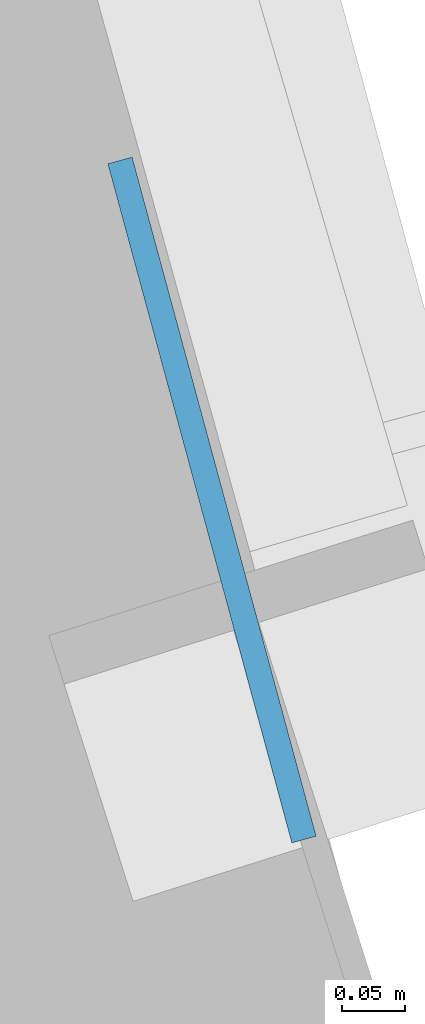
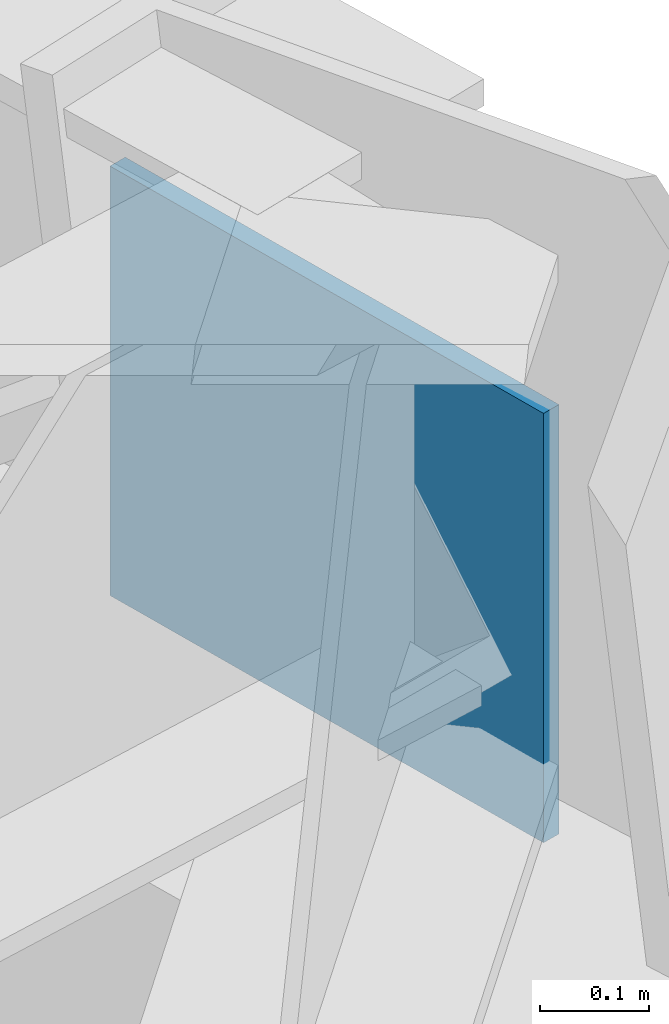
# One storey, part 11 of 20: 1 plate.
"""IFC4 building model written with IfcOpenShell, lengths in metres."""

from ifc_helpers import new_model, si_unit, direction, frame, origin, origin_2d, place, context, subcontext, project, spatial, rectangle, extrude, source, transform, mapped, material, type_object, element, save


model = new_model("IFC4")

# Units and contexts
model_context = context("Model", 3, precision=1e-05, world=origin(), true_north=direction((0.0, 1.0)))
body_context = subcontext(model_context, "Body", "Model", "MODEL_VIEW")
ifc_project = project(units=[si_unit("LENGTHUNIT", "METRE"), si_unit("AREAUNIT", "SQUARE_METRE"), si_unit("VOLUMEUNIT", "CUBIC_METRE"), si_unit("PLANEANGLEUNIT", "RADIAN"), si_unit("MASSUNIT", "GRAM", prefix="KILO")], contexts=[model_context])

# Site, building, storey
site_placement = place(None, origin())
site = spatial("IfcSite", under=ifc_project, at=site_placement, CompositionType="ELEMENT")
building_placement = place(site_placement, origin())
building = spatial("IfcBuilding", under=site, at=building_placement, Name="Olszyna Solenne Hotel", CompositionType="ELEMENT")
storey_placement = place(building_placement, frame((0.0, 0.0, 98.60009765625)))
storey = spatial("IfcBuildingStorey", under=building, at=storey_placement, Name="L25", CompositionType="ELEMENT", Elevation=98.60009765625)

# Plate
ifc_material = material(Name="Steel S355J2", Category="steel")
plate_type = type_object("IfcPlateType", Name="GP-ND2", PredefinedType="USERDEFINED", material=ifc_material)
shared_shape = source(origin(), body_context, "Body", "SweptSolid", [
    extrude(rectangle(XDim=0.56005859375, YDim=0.02001953125, at=origin_2d()), origin(), (0.0, 0.0, 1.0), 0.47998046875),
])
plate_placement = place(storey_placement, frame((67.383544921875, 33.39013671875, 2.64111328125), z_axis=(0.0, 0.0, 1.0), x_axis=(0.261515406195, -0.965199301866, 0.0)))
element("IfcPlate", 1, at=plate_placement, inside=storey, type_object=plate_type, Name="Brace end connection gusset plate GP-ND2 EP-BR-L25-1-2", ObjectType="GUSSET_PLATE", PredefinedType="USERDEFINED", context=body_context, shape_type="MappedRepresentation", body=[
    mapped(shared_shape, transform((0.0, 0.0, 0.0), x_axis=(1.0, 0.0, 0.0), y_axis=(0.0, 1.0, 0.0), z_axis=(0.0, 0.0, 1.0), scale=1.0)),
])

save(model, "model.ifc")
